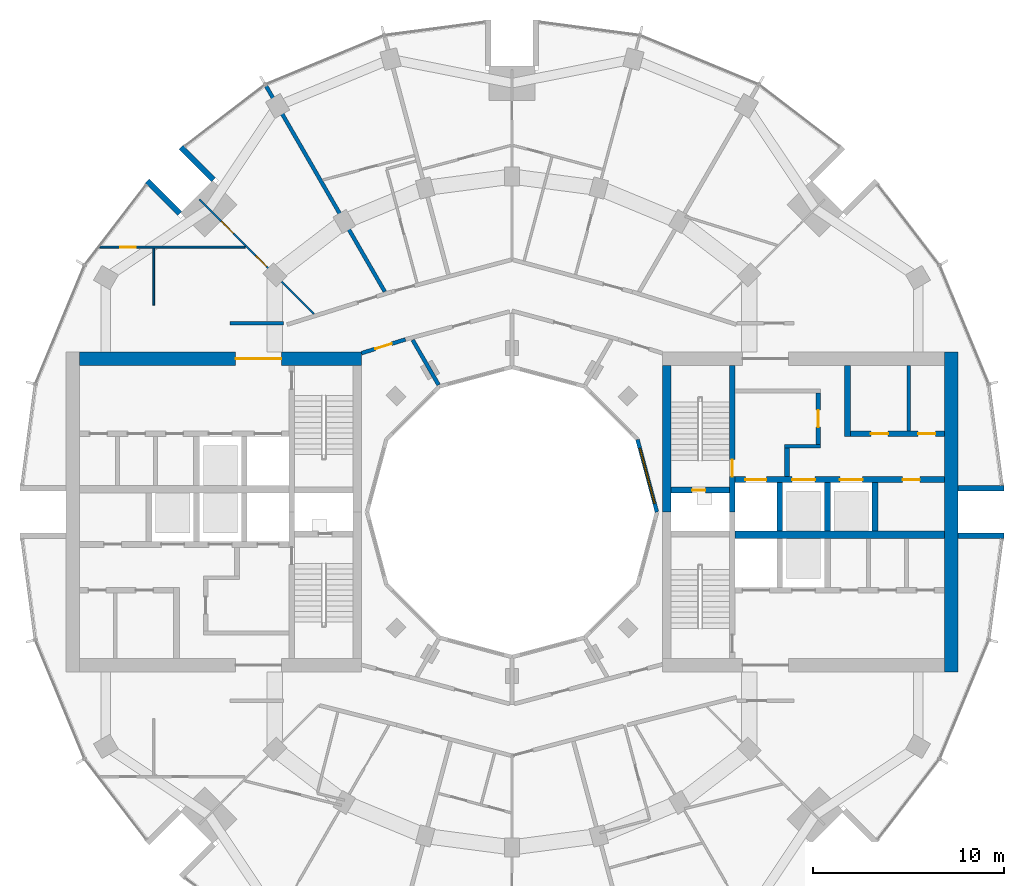
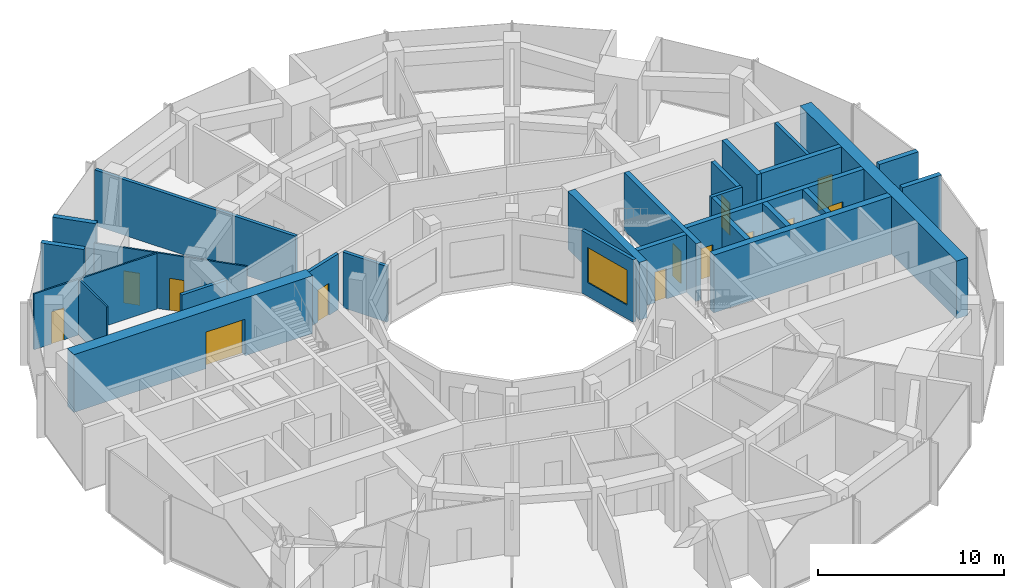
# One storey, part 11 of 15: 28 walls, 14 doors, 1 window, 15 openings.
"""IFC4 building model written with IfcOpenShell, lengths in metres."""

from ifc_helpers import new_model, si_unit, direction, frame, frame_2d, origin, place, context, subcontext, project, spatial, rectangle, extrude, material, layer, layer_set, type_object, element, fill, save


model = new_model("IFC4")

# Units and contexts
model_context = context("Model", 3, precision=1e-05, world=origin(), true_north=direction((0.0, 1.0)))
body_context = subcontext(model_context, "Body", "Model", "MODEL_VIEW")
ifc_project = project(units=[si_unit("LENGTHUNIT", "METRE"), si_unit("AREAUNIT", "SQUARE_METRE"), si_unit("VOLUMEUNIT", "CUBIC_METRE"), si_unit("PLANEANGLEUNIT", "RADIAN"), si_unit("MASSUNIT", "GRAM", prefix="KILO")], contexts=[model_context])

# Site, building, storey
site_placement = place(None, origin())
site = spatial("IfcSite", under=ifc_project, at=site_placement, CompositionType="ELEMENT")
building_placement = place(site_placement, origin())
building = spatial("IfcBuilding", under=site, at=building_placement, Name="Torre Brocal", CompositionType="ELEMENT")
storey_placement = place(building_placement, frame((0.0, 0.0, 182.300048828125)))
storey = spatial("IfcBuildingStorey", under=building, at=storey_placement, Name="L42", CompositionType="ELEMENT", Elevation=182.300048828125)

# Walls
ifc_material_1 = material(Name="Masonry block", Category="masonry")
ifc_layer_1 = layer(ifc_material_1, 0.199951171875)
ifc_layer_set_1 = layer_set([ifc_layer_1], Name="Masonry block")
wall_type_1 = type_object("IfcWallType", Name="CORE PARTITION 200", PredefinedType="PARTITIONING", material=ifc_layer_set_1)
wall_1_placement = place(storey_placement, frame((100.819091796875, 79.25, 0.0), z_axis=(0.0, 0.0, 1.0), x_axis=(0.0, 1.0, 0.0)))
element("IfcWall", 1, at=wall_1_placement, inside=storey, type_object=wall_type_1, Name="Wall CP200", PredefinedType="PARTITIONING", context=body_context, shape_type="SweptSolid", body=[
    extrude(rectangle(XDim=3.449951171875, YDim=0.199951171875, at=frame_2d((1.72509765625, 0.0))), origin(), (0.0, 0.0, 1.0), 3.780029296875),
])
ifc_material_2 = material(Name="Concrete C70", Category="concrete")
ifc_layer_2 = layer(ifc_material_2, 0.199951171875)
ifc_layer_set_2 = layer_set([ifc_layer_2], Name="Concrete C70")
wall_type_2 = type_object("IfcWallType", Name="CORE WALL 200 C70", PredefinedType="SHEAR", material=ifc_layer_set_2)
wall_2_placement = place(storey_placement, frame((94.300048828125, 78.449951171875, 0.0), z_axis=(0.0, 0.0, 1.0), x_axis=(1.0, 0.0, 0.0)))
element("IfcWall", 2, at=wall_2_placement, inside=storey, type_object=wall_type_2, Name="Wall CW200-70", PredefinedType="SHEAR", context=body_context, shape_type="SweptSolid", body=[
    extrude(rectangle(XDim=1.89990234375, YDim=0.199951171875, at=frame_2d((0.949951171875, 0.0))), origin(), (0.0, 0.0, 1.0), 3.780029296875),
])

# Wall, opening, door
ifc_material_3 = material(Name="Concrete C70", Category="concrete")
ifc_layer_3 = layer(ifc_material_3, 0.25)
ifc_layer_set_3 = layer_set([ifc_layer_3], Name="Concrete C70")
wall_type_3 = type_object("IfcWallType", Name="CORE WALL 250 C70", PredefinedType="SHEAR", material=ifc_layer_set_3)
wall_3_placement = place(storey_placement, frame((96.074951171875, 78.550048828125, 0.0), z_axis=(0.0, 0.0, 1.0), x_axis=(0.0, 1.0, 0.0)))
wall_3 = element("IfcWall", 3, at=wall_3_placement, inside=storey, type_object=wall_type_3, Name="Wall CW250-70", PredefinedType="SHEAR", context=body_context, shape_type="SweptSolid", body=[
    extrude(rectangle(XDim=2.699951171875, YDim=0.25, at=frame_2d((1.35009765625, 0.0))), origin(), (0.0, 0.0, 1.0), 3.780029296875),
])
opening_1_placement = place(wall_3_placement, frame((0.89990234375, 0.0, 0.0)))
opening_1 = element("IfcOpeningElement", 4, at=opening_1_placement, cuts=wall_3, Name="Opening E-D08", PredefinedType="OPENING", context=body_context, shape_type="SweptSolid", body=[
    extrude(rectangle(XDim=0.89990234375, YDim=2.10009765625, at=frame_2d((0.449951171875, 1.050048828125))), frame((0.0, 0.135009765625, 0.0), z_axis=(0.0, -1.0, 0.0), x_axis=(1.0, 0.0, 0.0)), (0.0, 0.0, 1.0), 0.27001953125),
])
ifc_material_4 = material(Name="Steel A653", Category="steel")
door_type_1 = type_object("IfcDoorType", Name="LOBBY DOOR FD120 900X2100", OperationType="SINGLE_SWING_RIGHT", PredefinedType="DOOR", material=ifc_material_4)
door_1_placement = place(opening_1_placement, origin())
door_1 = element("IfcDoor", 5, at=door_1_placement, inside=storey, type_object=door_type_1, Name="Door E-D08", OperationType="SINGLE_SWING_LEFT", OverallHeight=2.10009765625, OverallWidth=0.89990234375, PredefinedType="DOOR", context=body_context, shape_type="SweptSolid", body=[
    extrude(rectangle(XDim=0.89990234375, YDim=2.10009765625, at=frame_2d((0.449951171875, 1.050048828125))), frame((0.0, 0.02490234375, 0.0), z_axis=(0.0, -1.0, 0.0), x_axis=(1.0, 0.0, 0.0)), (0.0, 0.0, 1.0), 0.050048828125),
])
fill(opening_1, door_1)

# Wall
wall_4_placement = place(storey_placement, frame((94.425048828125, 76.85009765625, 0.0), z_axis=(0.0, 0.0, 1.0), x_axis=(0.0, 1.0, 0.0)))
element("IfcWall", 6, at=wall_4_placement, inside=storey, type_object=wall_type_3, Name="Wall CW250-70", PredefinedType="SHEAR", context=body_context, shape_type="SweptSolid", body=[
    extrude(rectangle(XDim=1.5, YDim=0.25, at=frame_2d((0.75, 0.0))), origin(), (0.0, 0.0, 1.0), 3.780029296875),
])

# Wall, opening, door
ifc_material_5 = material(Name="Concrete C70", Category="concrete")
ifc_layer_4 = layer(ifc_material_5, 0.300048828125)
ifc_layer_set_4 = layer_set([ifc_layer_4], Name="Concrete C70")
wall_type_4 = type_object("IfcWallType", Name="CORE WALL 300 C70", PredefinedType="SHEAR", material=ifc_layer_set_4)
wall_5_placement = place(storey_placement, frame((91.550048828125, 75.0, 0.0), z_axis=(0.0, 0.0, 1.0), x_axis=(0.0, 1.0, 0.0)))
wall_5 = element("IfcWall", 7, at=wall_5_placement, inside=storey, type_object=wall_type_4, Name="Wall CW300-70", PredefinedType="SHEAR", context=body_context, shape_type="SweptSolid", body=[
    extrude(rectangle(XDim=7.699951171875, YDim=0.300048828125, at=frame_2d((3.85009765625, 0.0))), origin(), (0.0, 0.0, 1.0), 3.780029296875),
])
opening_2_placement = place(wall_5_placement, frame((1.85009765625, 0.0, 0.0)))
opening_2 = element("IfcOpeningElement", 8, at=opening_2_placement, cuts=wall_5, Name="Opening E-D02", PredefinedType="OPENING", context=body_context, shape_type="SweptSolid", body=[
    extrude(rectangle(XDim=0.89990234375, YDim=2.10009765625, at=frame_2d((0.449951171875, 1.050048828125))), frame((0.0, 0.159912109375, 0.0), z_axis=(0.0, -1.0, 0.0), x_axis=(1.0, 0.0, 0.0)), (0.0, 0.0, 1.0), 0.320068359375),
])
ifc_material_6 = material(Name="Steel A653", Category="steel")
door_type_2 = type_object("IfcDoorType", Name="STAIR DOOR FD120 900X2100", OperationType="SINGLE_SWING_RIGHT", PredefinedType="DOOR", material=ifc_material_6)
door_2_placement = place(opening_2_placement, origin())
door_2 = element("IfcDoor", 9, at=door_2_placement, inside=storey, type_object=door_type_2, Name="Door E-D02", OperationType="SINGLE_SWING_LEFT", OverallHeight=2.10009765625, OverallWidth=0.89990234375, PredefinedType="DOOR", context=body_context, shape_type="SweptSolid", body=[
    extrude(rectangle(XDim=0.89990234375, YDim=2.10009765625, at=frame_2d((0.449951171875, 1.050048828125))), frame((0.0, 0.02490234375, 0.0), z_axis=(0.0, -1.0, 0.0), x_axis=(1.0, 0.0, 0.0)), (0.0, 0.0, 1.0), 0.050048828125),
])
fill(opening_2, door_2)

wall_6_placement = place(storey_placement, frame((88.35009765625, 76.14990234375, 0.0), z_axis=(0.0, 0.0, 1.0), x_axis=(1.0, 0.0, 0.0)))
wall_6 = element("IfcWall", 10, at=wall_6_placement, inside=storey, type_object=wall_type_4, Name="Wall CW300-70", PredefinedType="SHEAR", context=body_context, shape_type="SweptSolid", body=[
    extrude(rectangle(XDim=3.0498046875, YDim=0.300048828125, at=frame_2d((1.52490234375, 0.0))), origin(), (0.0, 0.0, 1.0), 3.780029296875),
])
opening_3_placement = place(wall_6_placement, frame((1.10009765625, 0.0, 0.0)))
opening_3 = element("IfcOpeningElement", 11, at=opening_3_placement, cuts=wall_6, Name="Opening E-D01", PredefinedType="OPENING", context=body_context, shape_type="SweptSolid", body=[
    extrude(rectangle(XDim=0.699951171875, YDim=2.0, at=frame_2d((0.35009765625, 1.0))), frame((0.0, 0.159912109375, 0.0), z_axis=(0.0, -1.0, 0.0), x_axis=(1.0, 0.0, 0.0)), (0.0, 0.0, 1.0), 0.320068359375),
])
ifc_material_7 = material(Name="Steel A653", Category="steel")
door_type_3 = type_object("IfcDoorType", Name="RISER DOOR FD120 700X2000", OperationType="SINGLE_SWING_LEFT", PredefinedType="DOOR", material=ifc_material_7)
door_3_placement = place(opening_3_placement, frame((0.699951171875, 0.0, 0.0), z_axis=(0.0, 0.0, 1.0), x_axis=(-1.0, 0.0, 0.0)))
door_3 = element("IfcDoor", 12, at=door_3_placement, inside=storey, type_object=door_type_3, Name="Door E-D01", OperationType="SINGLE_SWING_RIGHT", OverallHeight=2.0, OverallWidth=0.699951171875, PredefinedType="DOOR", context=body_context, shape_type="SweptSolid", body=[
    extrude(rectangle(XDim=0.699951171875, YDim=2.0, at=frame_2d((0.35009765625, 1.0))), frame((0.0, 0.02490234375, 0.0), z_axis=(0.0, -1.0, 0.0), x_axis=(1.0, 0.0, 0.0)), (0.0, 0.0, 1.0), 0.050048828125),
])
fill(opening_3, door_3)

# Wall, openings, doors
wall_7_placement = place(storey_placement, frame((91.699951171875, 76.699951171875, 0.0), z_axis=(0.0, 0.0, 1.0), x_axis=(1.0, 0.0, 0.0)))
wall_7 = element("IfcWall", 13, at=wall_7_placement, inside=storey, type_object=wall_type_4, Name="Wall CW300-70", PredefinedType="SHEAR", context=body_context, shape_type="SweptSolid", body=[
    extrude(rectangle(XDim=11.0, YDim=0.300048828125, at=frame_2d((5.5, 0.0))), origin(), (0.0, 0.0, 1.0), 3.780029296875),
])
opening_4_placement = place(wall_7_placement, frame((0.550048828125, 0.0, 0.0)))
opening_4 = element("IfcOpeningElement", 14, at=opening_4_placement, cuts=wall_7, Name="Opening LD", PredefinedType="OPENING", context=body_context, shape_type="SweptSolid", body=[
    extrude(rectangle(XDim=1.10009765625, YDim=2.10009765625, at=frame_2d((0.550048828125, 1.050048828125))), frame((0.0, 0.159912109375, 0.0), z_axis=(0.0, -1.0, 0.0), x_axis=(1.0, 0.0, 0.0)), (0.0, 0.0, 1.0), 0.320068359375),
])
opening_5_placement = place(wall_7_placement, frame((3.0, 0.0, 0.0)))
opening_5 = element("IfcOpeningElement", 15, at=opening_5_placement, cuts=wall_7, Name="Opening LD12", PredefinedType="OPENING", context=body_context, shape_type="SweptSolid", body=[
    extrude(rectangle(XDim=1.199951171875, YDim=2.10009765625, at=frame_2d((0.60009765625, 1.050048828125))), frame((0.0, 0.159912109375, 0.0), z_axis=(0.0, -1.0, 0.0), x_axis=(1.0, 0.0, 0.0)), (0.0, 0.0, 1.0), 0.320068359375),
])
opening_6_placement = place(wall_7_placement, frame((5.5, 0.0, 0.0)))
opening_6 = element("IfcOpeningElement", 16, at=opening_6_placement, cuts=wall_7, Name="Opening LD12", PredefinedType="OPENING", context=body_context, shape_type="SweptSolid", body=[
    extrude(rectangle(XDim=1.199951171875, YDim=2.10009765625, at=frame_2d((0.60009765625, 1.050048828125))), frame((0.0, 0.159912109375, 0.0), z_axis=(0.0, -1.0, 0.0), x_axis=(1.0, 0.0, 0.0)), (0.0, 0.0, 1.0), 0.320068359375),
])
opening_7_placement = place(wall_7_placement, frame((8.800048828125, 0.0, 0.0)))
opening_7 = element("IfcOpeningElement", 17, at=opening_7_placement, cuts=wall_7, Name="Opening E-D04", PredefinedType="OPENING", context=body_context, shape_type="SweptSolid", body=[
    extrude(rectangle(XDim=0.89990234375, YDim=2.10009765625, at=frame_2d((0.449951171875, 1.050048828125))), frame((0.0, 0.159912109375, 0.0), z_axis=(0.0, -1.0, 0.0), x_axis=(1.0, 0.0, 0.0)), (0.0, 0.0, 1.0), 0.320068359375),
])
ifc_material_8 = material(Name="Stainless steel AISI 316", Category="steel")
door_type_4 = type_object("IfcDoorType", Name="LIFT LANDING DOOR 1100X2100", OperationType="DOUBLE_DOOR_SLIDING", PredefinedType="DOOR", material=ifc_material_8)
door_4_placement = place(opening_4_placement, origin())
door_4 = element("IfcDoor", 18, at=door_4_placement, inside=storey, type_object=door_type_4, Name="Door LD", OperationType="DOUBLE_DOOR_SLIDING", OverallHeight=2.10009765625, OverallWidth=1.10009765625, PredefinedType="DOOR", context=body_context, shape_type="SweptSolid", body=[
    extrude(rectangle(XDim=1.10009765625, YDim=2.10009765625, at=frame_2d((0.550048828125, 1.050048828125))), frame((0.0, 0.02490234375, 0.0), z_axis=(0.0, -1.0, 0.0), x_axis=(1.0, 0.0, 0.0)), (0.0, 0.0, 1.0), 0.050048828125),
])
fill(opening_4, door_4)
ifc_material_9 = material(Name="Stainless steel AISI 316", Category="steel")
door_type_5 = type_object("IfcDoorType", Name="LIFT LANDING DOOR 1200X2100", OperationType="DOUBLE_DOOR_SLIDING", PredefinedType="DOOR", material=ifc_material_9)
door_5_placement = place(opening_5_placement, origin())
door_5 = element("IfcDoor", 19, at=door_5_placement, inside=storey, type_object=door_type_5, Name="Door LD12", OperationType="DOUBLE_DOOR_SLIDING", OverallHeight=2.10009765625, OverallWidth=1.199951171875, PredefinedType="DOOR", context=body_context, shape_type="SweptSolid", body=[
    extrude(rectangle(XDim=1.199951171875, YDim=2.10009765625, at=frame_2d((0.60009765625, 1.050048828125))), frame((0.0, 0.02490234375, 0.0), z_axis=(0.0, -1.0, 0.0), x_axis=(1.0, 0.0, 0.0)), (0.0, 0.0, 1.0), 0.050048828125),
])
fill(opening_5, door_5)
door_6_placement = place(opening_6_placement, origin())
door_6 = element("IfcDoor", 20, at=door_6_placement, inside=storey, type_object=door_type_5, Name="Door LD12", OperationType="DOUBLE_DOOR_SLIDING", OverallHeight=2.10009765625, OverallWidth=1.199951171875, PredefinedType="DOOR", context=body_context, shape_type="SweptSolid", body=[
    extrude(rectangle(XDim=1.199951171875, YDim=2.10009765625, at=frame_2d((0.60009765625, 1.050048828125))), frame((0.0, 0.02490234375, 0.0), z_axis=(0.0, -1.0, 0.0), x_axis=(1.0, 0.0, 0.0)), (0.0, 0.0, 1.0), 0.050048828125),
])
fill(opening_6, door_6)
ifc_material_10 = material(Name="Steel A653", Category="steel")
door_type_6 = type_object("IfcDoorType", Name="ROOM DOOR FD30S 900X2100", OperationType="SINGLE_SWING_LEFT", PredefinedType="DOOR", material=ifc_material_10)
door_7_placement = place(opening_7_placement, frame((0.89990234375, 0.0, 0.0), z_axis=(0.0, 0.0, 1.0), x_axis=(-1.0, 0.0, 0.0)))
door_7 = element("IfcDoor", 21, at=door_7_placement, inside=storey, type_object=door_type_6, Name="Door E-D04", OperationType="SINGLE_SWING_LEFT", OverallHeight=2.10009765625, OverallWidth=0.89990234375, PredefinedType="DOOR", context=body_context, shape_type="SweptSolid", body=[
    extrude(rectangle(XDim=0.89990234375, YDim=2.10009765625, at=frame_2d((0.449951171875, 1.050048828125))), frame((0.0, 0.02490234375, 0.0), z_axis=(0.0, -1.0, 0.0), x_axis=(1.0, 0.0, 0.0)), (0.0, 0.0, 1.0), 0.050048828125),
])
fill(opening_7, door_7)

# Walls
for number, where, z_axis, x_axis, name in (
    (22, (94.050048828125, 74.0, 0.0), (0.0, 0.0, 1.0), (0.0, 1.0, 0.0), "Wall CW300-70"),
    (23, (96.550048828125, 74.0, 0.0), (0.0, 0.0, 1.0), (0.0, 1.0, 0.0), "Wall CW300-70"),
    (24, (99.050048828125, 74.0, 0.0), (0.0, 0.0, 1.0), (0.0, 1.0, 0.0), "Wall CW300-70"),
):
    element("IfcWall", number, at=place(storey_placement, frame(where, z_axis=z_axis, x_axis=x_axis)), inside=storey, type_object=wall_type_4, Name=name, PredefinedType="SHEAR", context=body_context, shape_type="SweptSolid", body=[
        extrude(rectangle(XDim=2.550048828125, YDim=0.300048828125, at=frame_2d((1.27490234375, 0.0))), origin(), (0.0, 0.0, 1.0), 3.780029296875),
    ])
wall_8_placement = place(storey_placement, frame((97.60009765625, 78.949951171875, 0.0), z_axis=(0.0, 0.0, 1.0), x_axis=(0.0, 1.0, 0.0)))
element("IfcWall", 25, at=wall_8_placement, inside=storey, type_object=wall_type_4, Name="Wall CW300-70", PredefinedType="SHEAR", context=body_context, shape_type="SweptSolid", body=[
    extrude(rectangle(XDim=3.75, YDim=0.300048828125, at=frame_2d((1.875, 0.0))), origin(), (0.0, 0.0, 1.0), 3.780029296875),
])

# Wall, openings, doors
wall_9_placement = place(storey_placement, frame((97.75, 79.10009765625, 0.0), z_axis=(0.0, 0.0, 1.0), x_axis=(1.0, 0.0, 0.0)))
wall_9 = element("IfcWall", 26, at=wall_9_placement, inside=storey, type_object=wall_type_4, Name="Wall CW300-70", PredefinedType="SHEAR", context=body_context, shape_type="SweptSolid", body=[
    extrude(rectangle(XDim=4.949951171875, YDim=0.300048828125, at=frame_2d((2.47509765625, 0.0))), origin(), (0.0, 0.0, 1.0), 3.780029296875),
])
opening_8_placement = place(wall_9_placement, frame((1.08447265625, 0.0, 0.0)))
opening_8 = element("IfcOpeningElement", 27, at=opening_8_placement, cuts=wall_9, Name="Opening E-D09", PredefinedType="OPENING", context=body_context, shape_type="SweptSolid", body=[
    extrude(rectangle(XDim=0.89990234375, YDim=2.10009765625, at=frame_2d((0.449951171875, 1.050048828125))), frame((0.0, 0.159912109375, 0.0), z_axis=(0.0, -1.0, 0.0), x_axis=(1.0, 0.0, 0.0)), (0.0, 0.0, 1.0), 0.320068359375),
])
opening_9_placement = place(wall_9_placement, frame((3.5595703125, 0.0, 0.0)))
opening_9 = element("IfcOpeningElement", 28, at=opening_9_placement, cuts=wall_9, Name="Opening E-D10", PredefinedType="OPENING", context=body_context, shape_type="SweptSolid", body=[
    extrude(rectangle(XDim=0.89990234375, YDim=2.10009765625, at=frame_2d((0.449951171875, 1.050048828125))), frame((0.0, 0.159912109375, 0.0), z_axis=(0.0, -1.0, 0.0), x_axis=(1.0, 0.0, 0.0)), (0.0, 0.0, 1.0), 0.320068359375),
])
door_8_placement = place(opening_8_placement, origin())
door_8 = element("IfcDoor", 29, at=door_8_placement, inside=storey, type_object=door_type_6, Name="Door E-D09", OperationType="SINGLE_SWING_RIGHT", OverallHeight=2.10009765625, OverallWidth=0.89990234375, PredefinedType="DOOR", context=body_context, shape_type="SweptSolid", body=[
    extrude(rectangle(XDim=0.89990234375, YDim=2.10009765625, at=frame_2d((0.449951171875, 1.050048828125))), frame((0.0, 0.02490234375, 0.0), z_axis=(0.0, -1.0, 0.0), x_axis=(1.0, 0.0, 0.0)), (0.0, 0.0, 1.0), 0.050048828125),
])
fill(opening_8, door_8)
door_9_placement = place(opening_9_placement, origin())
door_9 = element("IfcDoor", 30, at=door_9_placement, inside=storey, type_object=door_type_6, Name="Door E-D10", OperationType="SINGLE_SWING_LEFT", OverallHeight=2.10009765625, OverallWidth=0.89990234375, PredefinedType="DOOR", context=body_context, shape_type="SweptSolid", body=[
    extrude(rectangle(XDim=0.89990234375, YDim=2.10009765625, at=frame_2d((0.449951171875, 1.050048828125))), frame((0.0, 0.02490234375, 0.0), z_axis=(0.0, -1.0, 0.0), x_axis=(1.0, 0.0, 0.0)), (0.0, 0.0, 1.0), 0.050048828125),
])
fill(opening_9, door_9)

# Walls
ifc_material_11 = material(Name="Concrete C70", Category="concrete")
ifc_layer_5 = layer(ifc_material_11, 0.39990234375)
ifc_layer_set_5 = layer_set([ifc_layer_5], Name="Concrete C70")
wall_type_5 = type_object("IfcWallType", Name="CORE WALL 400 C70", PredefinedType="SHEAR", material=ifc_layer_set_5)
wall_10_placement = place(storey_placement, frame((91.699951171875, 73.800048828125, 0.0), z_axis=(0.0, 0.0, 1.0), x_axis=(1.0, 0.0, 0.0)))
element("IfcWall", 31, at=wall_10_placement, inside=storey, type_object=wall_type_5, Name="Wall CW400-70", PredefinedType="SHEAR", context=body_context, shape_type="SweptSolid", body=[
    extrude(rectangle(XDim=11.0, YDim=0.39990234375, at=frame_2d((5.5, 0.0))), origin(), (0.0, 0.0, 1.0), 3.780029296875),
])
ifc_material_12 = material(Name="Concrete C70", Category="concrete")
ifc_layer_6 = layer(ifc_material_12, 0.449951171875)
ifc_layer_set_6 = layer_set([ifc_layer_6], Name="Concrete C70")
wall_type_6 = type_object("IfcWallType", Name="CORE WALL 450 C70", PredefinedType="SHEAR", material=ifc_layer_set_6)
wall_11_placement = place(storey_placement, frame((88.125, 75.0, 0.0), z_axis=(0.0, 0.0, 1.0), x_axis=(0.0, 1.0, 0.0)))
element("IfcWall", 32, at=wall_11_placement, inside=storey, type_object=wall_type_6, Name="Wall CW450-70", PredefinedType="SHEAR", context=body_context, shape_type="SweptSolid", body=[
    extrude(rectangle(XDim=7.699951171875, YDim=0.449951171875, at=frame_2d((3.85009765625, 0.0))), origin(), (0.0, 0.0, 1.0), 3.780029296875),
])
ifc_material_13 = material(Name="Concrete C70", Category="concrete")
ifc_layer_7 = layer(ifc_material_13, 0.699951171875)
ifc_layer_set_7 = layer_set([ifc_layer_7], Name="Concrete C70")
wall_type_7 = type_object("IfcWallType", Name="CORE WALL 700 C70", PredefinedType="SHEAR", material=ifc_layer_set_7)
wall_12_placement = place(storey_placement, frame((103.050048828125, 66.60009765625, 0.0), z_axis=(0.0, 0.0, 1.0), x_axis=(0.0, 1.0, 0.0)))
element("IfcWall", 33, at=wall_12_placement, inside=storey, type_object=wall_type_7, Name="Wall CW700-70", PredefinedType="SHEAR", context=body_context, shape_type="SweptSolid", body=[
    extrude(rectangle(XDim=16.7998046875, YDim=0.699951171875, at=frame_2d((8.39990234375, 0.0))), origin(), (0.0, 0.0, 1.0), 3.780029296875),
])

# Wall, opening, door
wall_13_placement = place(storey_placement, frame((72.10009765625, 83.050048828125, 0.0), z_axis=(0.0, 0.0, 1.0), x_axis=(-1.0, 0.0, 0.0)))
wall_13 = element("IfcWall", 34, at=wall_13_placement, inside=storey, type_object=wall_type_7, Name="Wall CW700-70", PredefinedType="SHEAR", context=body_context, shape_type="SweptSolid", body=[
    extrude(rectangle(XDim=14.800048828125, YDim=0.699951171875, at=frame_2d((7.39990234375, 0.0))), origin(), (0.0, 0.0, 1.0), 3.780029296875),
])
opening_10_placement = place(wall_13_placement, frame((4.199951171875, 0.0, 0.0)))
opening_10 = element("IfcOpeningElement", 35, at=opening_10_placement, cuts=wall_13, Name="Opening W-D12", PredefinedType="OPENING", context=body_context, shape_type="SweptSolid", body=[
    extrude(rectangle(XDim=2.39990234375, YDim=2.39990234375, at=frame_2d((1.199951171875, 1.199951171875))), frame((0.0, 0.35986328125, 0.0), z_axis=(0.0, -1.0, 0.0), x_axis=(1.0, 0.0, 0.0)), (0.0, 0.0, 1.0), 0.719970703125),
])
ifc_material_14 = material(Name="Steel A653", Category="steel")
door_type_7 = type_object("IfcDoorType", Name="DOUBLE FIRE DOOR FD90 2400X2400", OperationType="DOUBLE_DOOR_SINGLE_SWING", PredefinedType="DOOR", material=ifc_material_14)
door_10_placement = place(opening_10_placement, origin())
door_10 = element("IfcDoor", 36, at=door_10_placement, inside=storey, type_object=door_type_7, Name="Door W-D12", OperationType="DOUBLE_DOOR_SINGLE_SWING", OverallHeight=2.39990234375, OverallWidth=2.39990234375, PredefinedType="DOOR", context=body_context, shape_type="SweptSolid", body=[
    extrude(rectangle(XDim=2.39990234375, YDim=2.39990234375, at=frame_2d((1.199951171875, 1.199951171875))), frame((0.0, 0.02490234375, 0.0), z_axis=(0.0, -1.0, 0.0), x_axis=(1.0, 0.0, 0.0)), (0.0, 0.0, 1.0), 0.050048828125),
])
fill(opening_10, door_10)

# Walls
ifc_material_15 = material(Name="Concrete C70", Category="concrete")
ifc_layer_8 = layer(ifc_material_15, 0.300048828125)
ifc_layer_set_8 = layer_set([ifc_layer_8], Name="Concrete C70")
wall_type_8 = type_object("IfcWallType", Name="NOTCH RETURN WALL 300 C70", PredefinedType="NOTDEFINED", material=ifc_layer_set_8)
for number, where, z_axis, x_axis, name in (
    (37, (103.39990234375, 73.75, 0.0), (0.0, 0.0, 1.0), (1.0, 0.0, 0.0), "NOTCH RETURN WALL"),
    (38, (103.39990234375, 76.25, 0.0), (0.0, 0.0, 1.0), (1.0, 0.0, 0.0), "NOTCH RETURN WALL"),
    (39, (64.337646484375, 92.43017578125, 0.0), (0.0, 0.0, 1.0), (-0.707106781187, 0.707106781187, 0.0), "NOTCH RETURN WALL"),
    (40, (62.56982421875, 90.662353515625, 0.0), (0.0, 0.0, 1.0), (-0.707106781187, 0.707106781187, 0.0), "NOTCH RETURN WALL"),
):
    element("IfcWall", number, at=place(storey_placement, frame(where, z_axis=z_axis, x_axis=x_axis)), inside=storey, type_object=wall_type_8, Name=name, PredefinedType="NOTDEFINED", context=body_context, shape_type="SweptSolid", body=[
        extrude(rectangle(XDim=2.415771484375, YDim=0.300048828125, at=frame_2d((1.2080078125, 0.0))), origin(), (0.0, 0.0, 1.0), 4.099853515625),
    ])

# Wall, opening, door
ifc_material_16 = material(Name="Gypsum board", Category="Gypsum")
ifc_layer_9 = layer(ifc_material_16, 0.10009765625)
ifc_layer_set_9 = layer_set([ifc_layer_9], Name="Gypsum board")
wall_type_9 = type_object("IfcWallType", Name="PARTITION 100", PredefinedType="PARTITIONING", material=ifc_layer_set_9)
wall_14_placement = place(storey_placement, frame((58.37890625, 88.89990234375, 0.0), z_axis=(0.0, 0.0, 1.0), x_axis=(1.0, 0.0, 0.0)))
wall_14 = element("IfcWall", 41, at=wall_14_placement, inside=storey, type_object=wall_type_9, Name="BATHROOM WALL", PredefinedType="PARTITIONING", context=body_context, shape_type="SweptSolid", body=[
    extrude(rectangle(XDim=7.612060546875, YDim=0.10009765625, at=frame_2d((3.80615234375, 0.0))), origin(), (0.0, 0.0, 1.0), 3.64990234375),
])
opening_11_placement = place(wall_14_placement, frame((1.075439453125, 0.0, 0.0)))
opening_11 = element("IfcOpeningElement", 42, at=opening_11_placement, cuts=wall_14, Name="Opening R03-D15", PredefinedType="OPENING", context=body_context, shape_type="SweptSolid", body=[
    extrude(rectangle(XDim=0.800048828125, YDim=2.10009765625, at=frame_2d((0.39990234375, 1.050048828125))), frame((0.0, 0.06005859375, 0.0), z_axis=(0.0, -1.0, 0.0), x_axis=(1.0, 0.0, 0.0)), (0.0, 0.0, 1.0), 0.1201171875),
])
ifc_material_17 = material(Name="Timber", Category="wood")
door_type_8 = type_object("IfcDoorType", Name="BATHROOM DOOR 800X2100", OperationType="SINGLE_SWING_LEFT", PredefinedType="DOOR", material=ifc_material_17)
door_11_placement = place(opening_11_placement, frame((0.800048828125, 0.0, 0.0), z_axis=(0.0, 0.0, 1.0), x_axis=(-1.0, 0.0, 0.0)))
door_11 = element("IfcDoor", 43, at=door_11_placement, inside=storey, type_object=door_type_8, Name="R03-D15", OperationType="SINGLE_SWING_LEFT", OverallHeight=2.10009765625, OverallWidth=0.800048828125, PredefinedType="DOOR", context=body_context, shape_type="SweptSolid", body=[
    extrude(rectangle(XDim=0.800048828125, YDim=2.10009765625, at=frame_2d((0.39990234375, 1.050048828125))), frame((0.0, 0.02490234375, 0.0), z_axis=(0.0, -1.0, 0.0), x_axis=(1.0, 0.0, 0.0)), (0.0, 0.0, 1.0), 0.050048828125),
])
fill(opening_11, door_11)

# Wall
wall_15_placement = place(storey_placement, frame((61.199951171875, 85.85498046875, 0.0), z_axis=(0.0, 0.0, 1.0), x_axis=(0.0, 1.0, 0.0)))
element("IfcWall", 44, at=wall_15_placement, inside=storey, type_object=wall_type_9, Name="BATHROOM WALL", PredefinedType="PARTITIONING", context=body_context, shape_type="SweptSolid", body=[
    extrude(rectangle(XDim=2.9951171875, YDim=0.10009765625, at=frame_2d((1.49755859375, 0.0))), origin(), (0.0, 0.0, 1.0), 3.64990234375),
])

# Wall, openings, doors
wall_16_placement = place(storey_placement, frame((63.59912109375, 91.40869140625, 0.0), z_axis=(0.0, 0.0, 1.0), x_axis=(0.706920044618, -0.707293468453, 0.0)))
wall_16 = element("IfcWall", 45, at=wall_16_placement, inside=storey, type_object=wall_type_9, Name="BATHROOM WALL", PredefinedType="PARTITIONING", context=body_context, shape_type="SweptSolid", body=[
    extrude(rectangle(XDim=8.499267578125, YDim=0.10009765625, at=frame_2d((4.24951171875, 0.0))), origin(), (0.0, 0.0, 1.0), 3.64990234375),
])
opening_12_placement = place(wall_16_placement, frame((1.6318359375, 0.0, 0.0)))
opening_12 = element("IfcOpeningElement", 46, at=opening_12_placement, cuts=wall_16, Name="Opening R03-D14", PredefinedType="OPENING", context=body_context, shape_type="SweptSolid", body=[
    extrude(rectangle(XDim=0.89990234375, YDim=2.10009765625, at=frame_2d((0.449951171875, 1.050048828125))), frame((0.0, 0.06005859375, 0.0), z_axis=(0.0, -1.0, 0.0), x_axis=(1.0, 0.0, 0.0)), (0.0, 0.0, 1.0), 0.1201171875),
])
opening_13_placement = place(wall_16_placement, frame((4.186279296875, 0.0, 0.0)))
opening_13 = element("IfcOpeningElement", 47, at=opening_13_placement, cuts=wall_16, Name="Opening R03-D16", PredefinedType="OPENING", context=body_context, shape_type="SweptSolid", body=[
    extrude(rectangle(XDim=0.800048828125, YDim=2.10009765625, at=frame_2d((0.39990234375, 1.050048828125))), frame((0.0, 0.06005859375, 0.0), z_axis=(0.0, -1.0, 0.0), x_axis=(1.0, 0.0, 0.0)), (0.0, 0.0, 1.0), 0.1201171875),
])
door_12_placement = place(opening_13_placement, frame((0.800048828125, 0.0, 0.0), z_axis=(0.0, 0.0, 1.0), x_axis=(-1.0, 0.0, 0.0)))
door_12 = element("IfcDoor", 48, at=door_12_placement, inside=storey, type_object=door_type_8, Name="R03-D16", OperationType="SINGLE_SWING_RIGHT", OverallHeight=2.10009765625, OverallWidth=0.800048828125, PredefinedType="DOOR", context=body_context, shape_type="SweptSolid", body=[
    extrude(rectangle(XDim=0.800048828125, YDim=2.10009765625, at=frame_2d((0.39990234375, 1.050048828125))), frame((0.0, 0.02490234375, 0.0), z_axis=(0.0, -1.0, 0.0), x_axis=(1.0, 0.0, 0.0)), (0.0, 0.0, 1.0), 0.050048828125),
])
fill(opening_13, door_12)
ifc_material_18 = material(Name="Timber", Category="wood")
door_type_9 = type_object("IfcDoorType", Name="ROOM DOOR 900X2100", OperationType="SINGLE_SWING_LEFT", PredefinedType="DOOR", material=ifc_material_18)
door_13_placement = place(opening_12_placement, frame((0.89990234375, 0.0, 0.0), z_axis=(0.0, 0.0, 1.0), x_axis=(-1.0, 0.0, 0.0)))
door_13 = element("IfcDoor", 49, at=door_13_placement, inside=storey, type_object=door_type_9, Name="R03-D14", OperationType="SINGLE_SWING_LEFT", OverallHeight=2.10009765625, OverallWidth=0.89990234375, PredefinedType="DOOR", context=body_context, shape_type="SweptSolid", body=[
    extrude(rectangle(XDim=0.89990234375, YDim=2.10009765625, at=frame_2d((0.449951171875, 1.050048828125))), frame((0.0, 0.02490234375, 0.0), z_axis=(0.0, -1.0, 0.0), x_axis=(1.0, 0.0, 0.0)), (0.0, 0.0, 1.0), 0.050048828125),
])
fill(opening_12, door_13)

# Walls
ifc_material_19 = material(Name="Gypsum board", Category="Gypsum")
ifc_layer_10 = layer(ifc_material_19, 0.199951171875)
ifc_layer_set_10 = layer_set([ifc_layer_10], Name="Gypsum board")
wall_type_10 = type_object("IfcWallType", Name="PARTITION 200 EI60", PredefinedType="PARTITIONING", material=ifc_layer_set_10)
wall_17_placement = place(storey_placement, frame((65.199951171875, 84.89990234375, 0.0), z_axis=(0.0, 0.0, 1.0), x_axis=(1.0, 0.0, 0.0)))
element("IfcWall", 50, at=wall_17_placement, inside=storey, type_object=wall_type_10, Name="CORRIDOR WALL", PredefinedType="PARTITIONING", context=body_context, shape_type="SweptSolid", body=[
    extrude(rectangle(XDim=2.800048828125, YDim=0.199951171875, at=frame_2d((1.39990234375, 0.0))), origin(), (0.0, 0.0, 1.0), 3.64990234375),
])
wall_18_placement = place(storey_placement, frame((67.101806640625, 97.341796875, 0.0), z_axis=(0.0, 0.0, 1.0), x_axis=(0.499940938316, -0.866059500378, 0.0)))
element("IfcWall", 51, at=wall_18_placement, inside=storey, type_object=wall_type_10, Name="PARTY PARTITION", PredefinedType="PARTITIONING", context=body_context, shape_type="SweptSolid", body=[
    extrude(rectangle(XDim=12.44580078125, YDim=0.199951171875, at=frame_2d((6.222900390625, 0.0))), origin(), (0.0, 0.0, 1.0), 3.64990234375),
])

# Wall, opening, door
wall_19_placement = place(storey_placement, frame((72.10009765625, 83.33203125, 0.0), z_axis=(0.0, 0.0, 1.0), x_axis=(0.954233106619, 0.299063836383, 0.0)))
wall_19 = element("IfcWall", 52, at=wall_19_placement, inside=storey, type_object=wall_type_10, Name="CORRIDOR WALL", PredefinedType="PARTITIONING", context=body_context, shape_type="SweptSolid", body=[
    extrude(rectangle(XDim=2.4140625, YDim=0.199951171875, at=frame_2d((1.20703125, 0.0))), origin(), (0.0, 0.0, 1.0), 3.64990234375),
])
opening_14_placement = place(wall_19_placement, frame((0.761962890625, 0.0, 0.0)))
opening_14 = element("IfcOpeningElement", 53, at=opening_14_placement, cuts=wall_19, Name="Opening R03-D20", PredefinedType="OPENING", context=body_context, shape_type="SweptSolid", body=[
    extrude(rectangle(XDim=0.89990234375, YDim=2.10009765625, at=frame_2d((0.449951171875, 1.050048828125))), frame((0.0, 0.10986328125, 0.0), z_axis=(0.0, -1.0, 0.0), x_axis=(1.0, 0.0, 0.0)), (0.0, 0.0, 1.0), 0.219970703125),
])
door_14_placement = place(opening_14_placement, frame((0.89990234375, 0.0, 0.0), z_axis=(0.0, 0.0, 1.0), x_axis=(-1.0, 0.0, 0.0)))
door_14 = element("IfcDoor", 54, at=door_14_placement, inside=storey, type_object=door_type_9, Name="R03-D20", OperationType="SINGLE_SWING_RIGHT", OverallHeight=2.10009765625, OverallWidth=0.89990234375, PredefinedType="DOOR", context=body_context, shape_type="SweptSolid", body=[
    extrude(rectangle(XDim=0.89990234375, YDim=2.10009765625, at=frame_2d((0.449951171875, 1.050048828125))), frame((0.0, 0.02490234375, 0.0), z_axis=(0.0, -1.0, 0.0), x_axis=(1.0, 0.0, 0.0)), (0.0, 0.0, 1.0), 0.050048828125),
])
fill(opening_14, door_14)

# Wall
wall_20_placement = place(storey_placement, frame((74.78759765625, 84.027099609375, 0.0), z_axis=(0.0, 0.0, 1.0), x_axis=(0.499905962189, -0.866079689733, 0.0)))
element("IfcWall", 55, at=wall_20_placement, inside=storey, type_object=wall_type_10, Name="SERVICE ROOM WALL", PredefinedType="PARTITIONING", context=body_context, shape_type="SweptSolid", body=[
    extrude(rectangle(XDim=2.7255859375, YDim=0.199951171875, at=frame_2d((1.36279296875, 0.0))), origin(), (0.0, 0.0, 1.0), 3.64990234375),
])

# Wall, opening, window
ifc_material_20 = material(Name="Concrete C40", Category="concrete")
ifc_layer_11 = layer(ifc_material_20, 0.199951171875)
ifc_layer_set_11 = layer_set([ifc_layer_11], Name="Concrete C40")
wall_type_11 = type_object("IfcWallType", Name="WELL FACADE WALL 200", PredefinedType="NOTDEFINED", material=ifc_layer_set_11)
wall_21_placement = place(storey_placement, frame((87.603515625, 75.0, 0.0), z_axis=(0.0, 0.0, 1.0), x_axis=(-0.258789828301, 0.965933654434, 0.0)))
wall_21 = element("IfcWall", 56, at=wall_21_placement, inside=storey, type_object=wall_type_11, Name="WELL FACADE WALL", PredefinedType="NOTDEFINED", context=body_context, shape_type="SweptSolid", body=[
    extrude(rectangle(XDim=3.935791015625, YDim=0.199951171875, at=frame_2d((1.9677734375, 0.0))), origin(), (0.0, 0.0, 1.0), 4.099853515625),
])
opening_15_placement = place(wall_21_placement, frame((0.468017578125, 0.0, 0.89990234375)))
opening_15 = element("IfcOpeningElement", 57, at=opening_15_placement, cuts=wall_21, Name="Opening W1", PredefinedType="OPENING", context=body_context, shape_type="SweptSolid", body=[
    extrude(rectangle(XDim=3.0, YDim=2.300048828125, at=frame_2d((1.5, 1.14990234375))), frame((0.0, 0.10986328125, 0.0), z_axis=(0.0, -1.0, 0.0), x_axis=(1.0, 0.0, 0.0)), (0.0, 0.0, 1.0), 0.219970703125),
])
ifc_material_21 = material(Name="Aluminium and glass", Category="aluminium")
window_type = type_object("IfcWindowType", Name="WELL WINDOW 3000X2300", PartitioningType="SINGLE_PANEL", PredefinedType="WINDOW", material=ifc_material_21)
window_placement = place(opening_15_placement, origin())
window = element("IfcWindow", 58, at=window_placement, inside=storey, type_object=window_type, Name="WELL WINDOW 3000X2300", OverallHeight=2.300048828125, OverallWidth=3.0, PartitioningType="SINGLE_PANEL", PredefinedType="WINDOW", context=body_context, shape_type="SweptSolid", body=[
    extrude(rectangle(XDim=3.0, YDim=2.300048828125, at=frame_2d((1.5, 1.14990234375))), frame((0.0, 0.030029296875, 0.0), z_axis=(0.0, -1.0, 0.0), x_axis=(1.0, 0.0, 0.0)), (0.0, 0.0, 1.0), 0.06005859375),
])
fill(opening_15, window)

save(model, "model.ifc")
